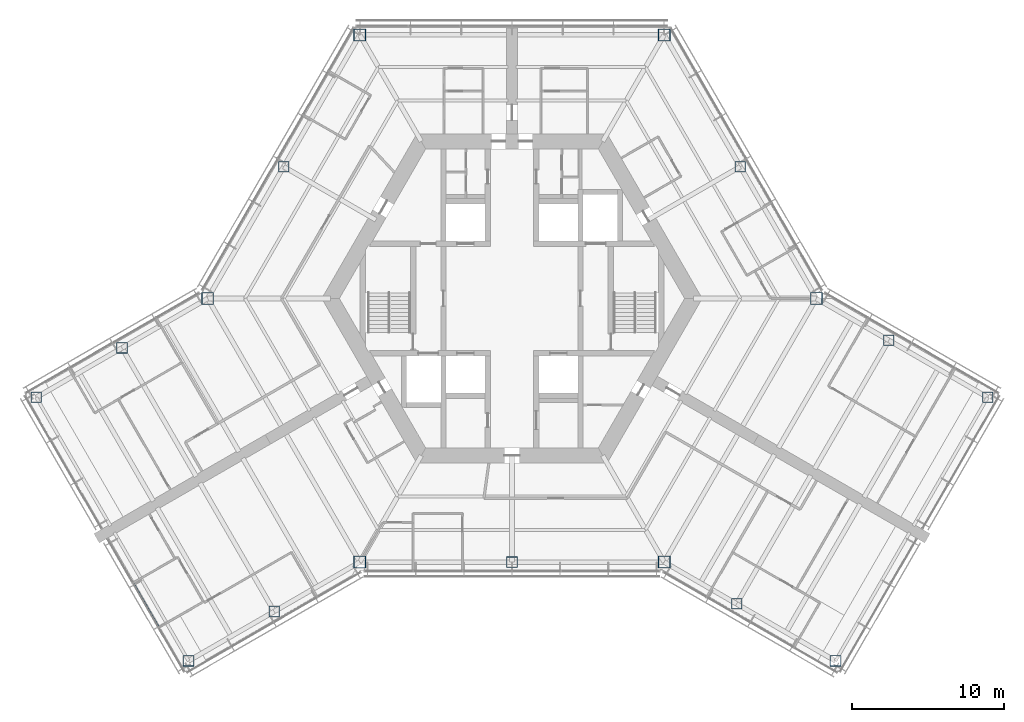
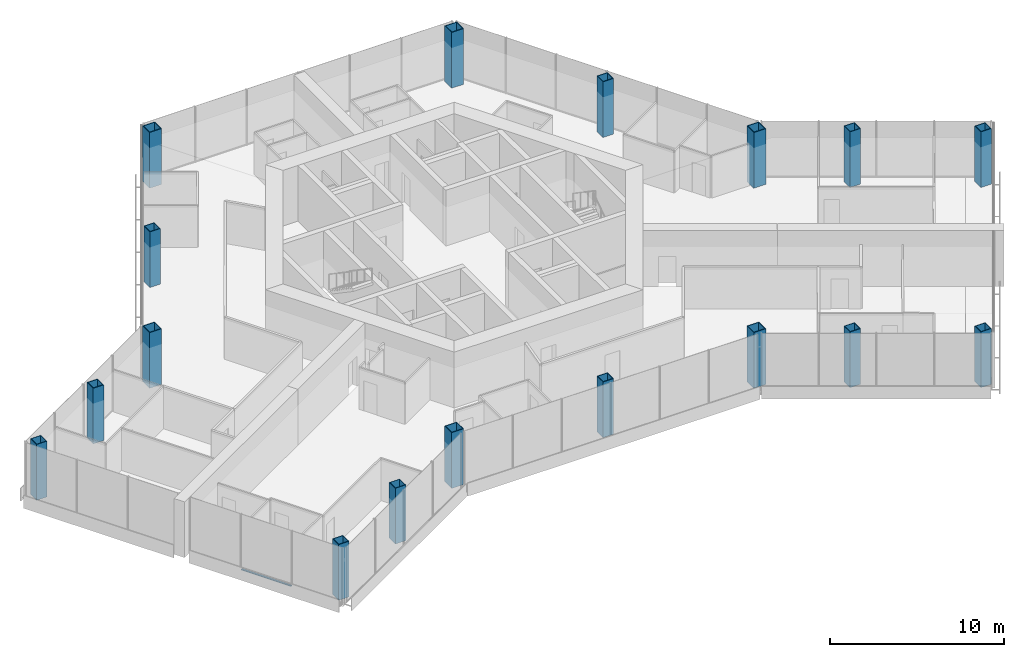
# One storey, part 1 of 18: 17 columns, 1 member, 1 element without a shape of its own.
"""IFC4 building model written with IfcOpenShell, lengths in metres."""

import ifcopenshell
import ifcopenshell.guid

model = None  # the IFC model being written
_history = None  # IfcOwnerHistory: only IFC2X3 demands one
_inside = {}  # id of a spatial element -> (the spatial element, [elements in it])
_under = {}  # id of a project, library or spatial element -> (it, [spatial elements below it])
_declared = {}  # id of a project -> (the project, [libraries it declares])
_typed = {}  # id of a type object -> (the type object, [elements of that type])
_made_of = {}  # id of a material, layer set ... -> (it, [elements and type objects made of it])


def new_model(schema):
    """Start an empty IFC model of exactly this schema.

    Asked for "IFC4X3", IfcOpenShell would pick the latest addendum, in which some entities
    have other attributes; the version numbers below select the first issue.
    IFC2X3 requires an IfcOwnerHistory on every rooted entity: one is made here for all.
    """
    global model, _history
    if schema == "IFC4X3":
        model = ifcopenshell.file(schema_version=(4, 3, 0, 0))
    else:
        model = ifcopenshell.file(schema=schema)
    _inside.clear()
    _under.clear()
    _declared.clear()
    _typed.clear()
    _made_of.clear()
    _history = None
    if model.schema == "IFC2X3":
        org = make("IfcOrganization", Name="unknown")
        user = make(
            "IfcPersonAndOrganization",
            ThePerson=make("IfcPerson", FamilyName="unknown"),
            TheOrganization=org,
        )
        app = make(
            "IfcApplication",
            ApplicationDeveloper=org,
            Version="unknown",
            ApplicationFullName="unknown",
            ApplicationIdentifier="unknown",
        )
        _history = make(
            "IfcOwnerHistory",
            OwningUser=user,
            OwningApplication=app,
            ChangeAction="ADDED",
            CreationDate=0,
        )
    return model


def make(cls, **values):
    """One entity of the class cls with the attributes given. An attribute that is None is left unset."""
    return model.create_entity(
        cls, **{name: value for name, value in values.items() if value is not None}
    )


def rooted(cls, **values):
    """An entity with a GlobalId (a new one), such as an element, a storey or a relation."""
    return make(cls, GlobalId=ifcopenshell.guid.new(), OwnerHistory=_history, **values)


def si_unit(unit_type, name, prefix=None):
    """IfcSIUnit, for example si_unit("LENGTHUNIT", "METRE", prefix="MILLI")."""
    return make("IfcSIUnit", UnitType=unit_type, Prefix=prefix, Name=name)


def assignment(units):
    """IfcUnitAssignment: the units of a project."""
    return None if units is None else make("IfcUnitAssignment", Units=units)


def point(xyz):
    """IfcCartesianPoint."""
    return None if xyz is None else make("IfcCartesianPoint", Coordinates=xyz)


def direction(xyz):
    """IfcDirection."""
    return None if xyz is None else make("IfcDirection", DirectionRatios=xyz)


def frame(location, z_axis=None, x_axis=None):
    """IfcAxis2Placement3D, a coordinate frame: its origin and axes. An axis left out is left unset."""
    return make(
        "IfcAxis2Placement3D",
        Location=point(location),
        Axis=direction(z_axis),
        RefDirection=direction(x_axis),
    )


def frame_2d(location, x_axis=None):
    """IfcAxis2Placement2D, a coordinate frame in the plane: its origin and x axis."""
    return make(
        "IfcAxis2Placement2D", Location=point(location), RefDirection=direction(x_axis)
    )


def origin():
    """The frame at (0, 0, 0) with its axes left unset."""
    return frame((0.0, 0.0, 0.0))


def origin_2d():
    """The frame at (0, 0) in the plane with its x axis left unset."""
    return frame_2d((0.0, 0.0))


def place(relative_to, where):
    """IfcLocalPlacement: puts the frame where relative to a parent placement (None: the world)."""
    return make(
        "IfcLocalPlacement", PlacementRelTo=relative_to, RelativePlacement=where
    )


def context(
    kind, dimensions, precision=None, world=None, true_north=None, identifier=None
):
    """IfcGeometricRepresentationContext, for example the 3D "Model" context."""
    return make(
        "IfcGeometricRepresentationContext",
        ContextIdentifier=identifier,
        ContextType=kind,
        CoordinateSpaceDimension=dimensions,
        Precision=precision,
        WorldCoordinateSystem=world,
        TrueNorth=true_north,
    )


def subcontext(parent, identifier, kind, view, scale=None):
    """IfcGeometricRepresentationSubContext, for example "Body" below "Model"."""
    return make(
        "IfcGeometricRepresentationSubContext",
        ContextIdentifier=identifier,
        ContextType=kind,
        ParentContext=parent,
        TargetScale=scale,
        TargetView=view,
    )


def project(units=None, contexts=None):
    """IfcProject with its units and contexts."""
    return rooted(
        "IfcProject",
        Name="project",
        RepresentationContexts=contexts,
        UnitsInContext=assignment(units),
    )


def spatial(cls, under=None, at=None, **own):
    """A site, building, storey or space (cls), placed at a placement, below another one or the project."""
    s = rooted(cls, ObjectPlacement=at, **own)
    if under is not None:
        _under.setdefault(under.id(), (under, []))[1].append(s)
    return s


def profile(cls, at=None, kind="AREA", **sizes):
    """A parametric profile (cls). Its sizes go by their IFC names, for example OverallWidth=200.0."""
    return make(cls, ProfileType=kind, Position=at, **sizes)


def rectangle(**sizes):
    """IfcRectangleProfileDef."""
    return profile("IfcRectangleProfileDef", **sizes)


def hollow_rectangle(**sizes):
    """IfcRectangleHollowProfileDef."""
    return profile("IfcRectangleHollowProfileDef", **sizes)


def extrude(swept, where, along, depth):
    """IfcExtrudedAreaSolid: the profile swept, set in the frame where, extruded along a direction by depth."""
    return make(
        "IfcExtrudedAreaSolid",
        SweptArea=swept,
        Position=where,
        ExtrudedDirection=direction(along),
        Depth=depth,
    )


def shape(context_of_items, identifier, shape_type, items):
    """IfcShapeRepresentation: the items that make up one representation, for example the "Body"."""
    return make(
        "IfcShapeRepresentation",
        ContextOfItems=context_of_items,
        RepresentationIdentifier=identifier,
        RepresentationType=shape_type,
        Items=items,
    )


def material(Name=None, Category=None):
    """IfcMaterial."""
    return make("IfcMaterial", Name=Name, Category=Category)


def material_profile(
    of_material, cross_section, Name=None, Category=None, Priority=None
):
    """IfcMaterialProfile: a cross section and its material."""
    return make(
        "IfcMaterialProfile",
        Name=Name,
        Material=of_material,
        Profile=cross_section,
        Priority=Priority,
        Category=Category,
    )


def profile_set(profiles, Name=None, composite=None):
    """IfcMaterialProfileSet."""
    return make(
        "IfcMaterialProfileSet",
        Name=Name,
        MaterialProfiles=profiles,
        CompositeProfile=composite,
    )


def made_of(thing, what):
    """Note that an element or type object is made of a material, layer set ...; save() writes the relation."""
    if what is not None:
        _made_of.setdefault(what.id(), (what, []))[1].append(thing)
    return thing


def type_object(cls, material=None, **own):
    """A type object (cls), such as IfcWallType, which elements share."""
    return made_of(rooted(cls, **own), material)


def element(
    cls,
    number,
    at=None,
    inside=None,
    cuts=None,
    type_object=None,
    material=None,
    context=None,
    identifier="Body",
    shape_type=None,
    held_by="IfcProductDefinitionShape",
    body=None,
    shapes=None,
    **own,
):
    """One element of the class cls, such as IfcWall. Its Tag is "e" and its number.

    at: its placement. inside: the storey or other place that contains it. cuts: it is an
    opening in that element (IfcRelVoidsElement). A single representation is given by context,
    identifier, shape_type and body (its items); several are given by shapes. held_by: the class
    of the entity that holds the representations. save() writes the other relations.
    """
    e = rooted(cls, Tag="e%d" % number, ObjectPlacement=at, **own)
    if body is not None:
        shapes = [shape(context, identifier, shape_type, body)]
    if shapes is not None:
        e.Representation = make(held_by, Representations=shapes)
    if inside is not None:
        _inside.setdefault(inside.id(), (inside, []))[1].append(e)
    if cuts is not None:
        rooted(
            "IfcRelVoidsElement", RelatingBuildingElement=cuts, RelatedOpeningElement=e
        )
    if type_object is not None:
        _typed.setdefault(type_object.id(), (type_object, []))[1].append(e)
    return made_of(e, material)


def aggregate(whole, parts):
    """IfcRelAggregates: a whole, such as a stair, and the parts it consists of."""
    return rooted("IfcRelAggregates", RelatingObject=whole, RelatedObjects=parts)


def save(model, path):
    """Write the relations noted so far, then the file.

    IfcRelAggregates (storeys below a building ...), IfcRelContainedInSpatialStructure (elements
    in a storey), IfcRelDefinesByType, IfcRelAssociatesMaterial and IfcRelDeclares: one each for
    every whole, place, type object, material and project.
    """
    for whole, parts in _under.values():
        aggregate(whole, parts)
    for where, things in _inside.values():
        rooted(
            "IfcRelContainedInSpatialStructure",
            RelatedElements=things,
            RelatingStructure=where,
        )
    for kind, things in _typed.values():
        rooted("IfcRelDefinesByType", RelatedObjects=things, RelatingType=kind)
    for what, things in _made_of.values():
        rooted("IfcRelAssociatesMaterial", RelatedObjects=things, RelatingMaterial=what)
    for by, libraries in _declared.values():
        rooted("IfcRelDeclares", RelatingContext=by, RelatedDefinitions=libraries)
    model.write(path)


model = new_model("IFC4")

# Units and contexts
model_context = context("Model", 3, precision=1e-05, world=origin(), true_north=direction((0.0, 1.0)))
body_context = subcontext(model_context, "Body", "Model", "MODEL_VIEW")
ifc_project = project(units=[si_unit("LENGTHUNIT", "METRE"), si_unit("AREAUNIT", "SQUARE_METRE"), si_unit("VOLUMEUNIT", "CUBIC_METRE"), si_unit("PLANEANGLEUNIT", "RADIAN"), si_unit("MASSUNIT", "GRAM", prefix="KILO")], contexts=[model_context])

# Site, building, storey
site_placement = place(None, origin())
site = spatial("IfcSite", under=ifc_project, at=site_placement, CompositionType="ELEMENT")
building_placement = place(site_placement, origin())
building = spatial("IfcBuilding", under=site, at=building_placement, Name="Kasaneha Research Tower", CompositionType="ELEMENT")
storey_placement = place(building_placement, frame((0.0, 0.0, 195.5)))
storey = spatial("IfcBuildingStorey", under=building, at=storey_placement, Name="L49", CompositionType="ELEMENT", Elevation=195.5)

# Columns
ifc_material_1 = material(Name="Steel SN490C", Category="steel")
ifc_material_profile_1 = material_profile(ifc_material_1, hollow_rectangle(XDim=0.800048828125, YDim=0.800048828125, WallThickness=0.044921875, at=origin_2d()), Name="BOX-800x800x45")
ifc_profile_set_1 = profile_set([ifc_material_profile_1], Name="Steel SN490C")
column_type_1 = type_object("IfcColumnType", Name="C3A column BOX-800x800x45", PredefinedType="COLUMN", material=ifc_profile_set_1)
for number, where, z_axis, x_axis, name in (
    (1, (20.0, 0.0, 0.0), (0.0, 0.0, 1.0), (1.0, 0.0, 0.0), "Column V0 L49"),
    (2, (10.0, 17.320556640625, 0.0), (0.0, 0.0, 1.0), (1.0, 0.0, 0.0), "Column V1 L49"),
    (3, (-10.0, 17.320556640625, 0.0), (0.0, 0.0, 1.0), (1.0, 0.0, 0.0), "Column V2 L49"),
    (4, (-20.0, 0.0, 0.0), (0.0, 0.0, 1.0), (1.0, 0.0, 0.0), "Column V3 L49"),
    (5, (-10.0, -17.320556640625, 0.0), (0.0, 0.0, 1.0), (1.0, 0.0, 0.0), "Column V4 L49"),
    (6, (10.0, -17.320556640625, 0.0), (0.0, 0.0, 1.0), (1.0, 0.0, 0.0), "Column V5 L49"),
):
    element("IfcColumn", number, at=place(storey_placement, frame(where, z_axis=z_axis, x_axis=x_axis)), inside=storey, type_object=column_type_1, Name=name, PredefinedType="COLUMN", context=body_context, shape_type="SweptSolid", body=[
        extrude(hollow_rectangle(XDim=0.800048828125, YDim=0.800048828125, WallThickness=0.044921875, at=origin_2d()), origin(), (0.0, 0.0, 1.0), 3.89990234375),
    ])
ifc_material_2 = material(Name="Steel SN490C", Category="steel")
ifc_material_profile_2 = material_profile(ifc_material_2, hollow_rectangle(XDim=0.699951171875, YDim=0.699951171875, WallThickness=0.035888671875, at=origin_2d()), Name="BOX-700x700x36")
ifc_profile_set_2 = profile_set([ifc_material_profile_2], Name="Steel SN490C")
column_type_2 = type_object("IfcColumnType", Name="C3B column BOX-700x700x36", PredefinedType="COLUMN", material=ifc_profile_set_2)
for number, where, z_axis, x_axis, name in (
    (7, (15.0, 8.66015625, 0.0), (0.0, 0.0, 1.0), (1.0, 0.0, 0.0), "Column M030 L49"),
    (8, (-15.0, 8.66015625, 0.0), (0.0, 0.0, 1.0), (1.0, 0.0, 0.0), "Column M150 L49"),
    (9, (0.0, -17.320556640625, 0.0), (0.0, 0.0, 1.0), (1.0, 0.0, 0.0), "Column M270 L49"),
    (10, (-25.629150390625, -3.25, 0.0), (0.0, 0.0, 1.0), (1.0, 0.0, 0.0), "Column BSP L49"),
    (11, (-31.25830078125, -6.5, 0.0), (0.0, 0.0, 1.0), (1.0, 0.0, 0.0), "Column BTP L49"),
    (12, (-15.629150390625, -20.570556640625, 0.0), (0.0, 0.0, 1.0), (1.0, 0.0, 0.0), "Column BSN L49"),
    (13, (-21.25830078125, -23.820556640625, 0.0), (0.0, 0.0, 1.0), (1.0, 0.0, 0.0), "Column BTN L49"),
    (14, (14.76318359375, -20.070556640625, 0.0), (0.0, 0.0, 1.0), (1.0, 0.0, 0.0), "Column CSP L49"),
    (15, (21.25830078125, -23.820556640625, 0.0), (0.0, 0.0, 1.0), (1.0, 0.0, 0.0), "Column CTP L49"),
    (16, (24.76318359375, -2.75, 0.0), (0.0, 0.0, 1.0), (1.0, 0.0, 0.0), "Column CSN L49"),
    (17, (31.25830078125, -6.5, 0.0), (0.0, 0.0, 1.0), (1.0, 0.0, 0.0), "Column CTN L49"),
):
    element("IfcColumn", number, at=place(storey_placement, frame(where, z_axis=z_axis, x_axis=x_axis)), inside=storey, type_object=column_type_2, Name=name, PredefinedType="COLUMN", context=body_context, shape_type="SweptSolid", body=[
        extrude(hollow_rectangle(XDim=0.699951171875, YDim=0.699951171875, WallThickness=0.035888671875, at=origin_2d()), origin(), (0.0, 0.0, 1.0), 3.89990234375),
    ])

# Curtain wall, member
ifc_material_3 = material(Name="Glass and aluminium", Category="aluminium")
curtain_wall_type = type_object("IfcCurtainWallType", Name="Mid-rise office curtain wall", PredefinedType="USERDEFINED", material=ifc_material_3)
curtain_wall_placement = place(storey_placement, origin())
curtain_wall = element("IfcCurtainWall", 18, at=curtain_wall_placement, inside=storey, type_object=curtain_wall_type, Name="CW-O2 L49 run 11a", ObjectType="UNITISED CURTAIN WALL", PredefinedType="USERDEFINED")
ifc_material_4 = material(Name="Aluminium 6063-T6", Category="aluminium")
ifc_material_profile_3 = material_profile(ifc_material_4, rectangle(XDim=0.110107421875, YDim=0.06005859375, at=origin_2d()), Name="CW-O2 transom 110x60")
ifc_profile_set_3 = profile_set([ifc_material_profile_3], Name="Aluminium 6063-T6")
member_type = type_object("IfcMemberType", Name="CW-O2 transom", PredefinedType="USERDEFINED", material=ifc_profile_set_3)
member_placement = place(storey_placement, frame((-24.896240234375, -18.719482421875, 0.030029296875), z_axis=(0.500010745865, -0.866019199568, 0.0), x_axis=(0.866019199568, 0.500010745865, 0.0)))
member = element("IfcMember", 19, at=member_placement, type_object=member_type, Name="CW-O2 transom 2", ObjectType="TRANSOM", PredefinedType="USERDEFINED", context=body_context, shape_type="SweptSolid", body=[
    extrude(rectangle(XDim=0.110107421875, YDim=0.06005859375, at=origin_2d()), origin(), (0.0, 0.0, 1.0), 3.3232421875),
])
aggregate(curtain_wall, [member])

save(model, "model.ifc")
